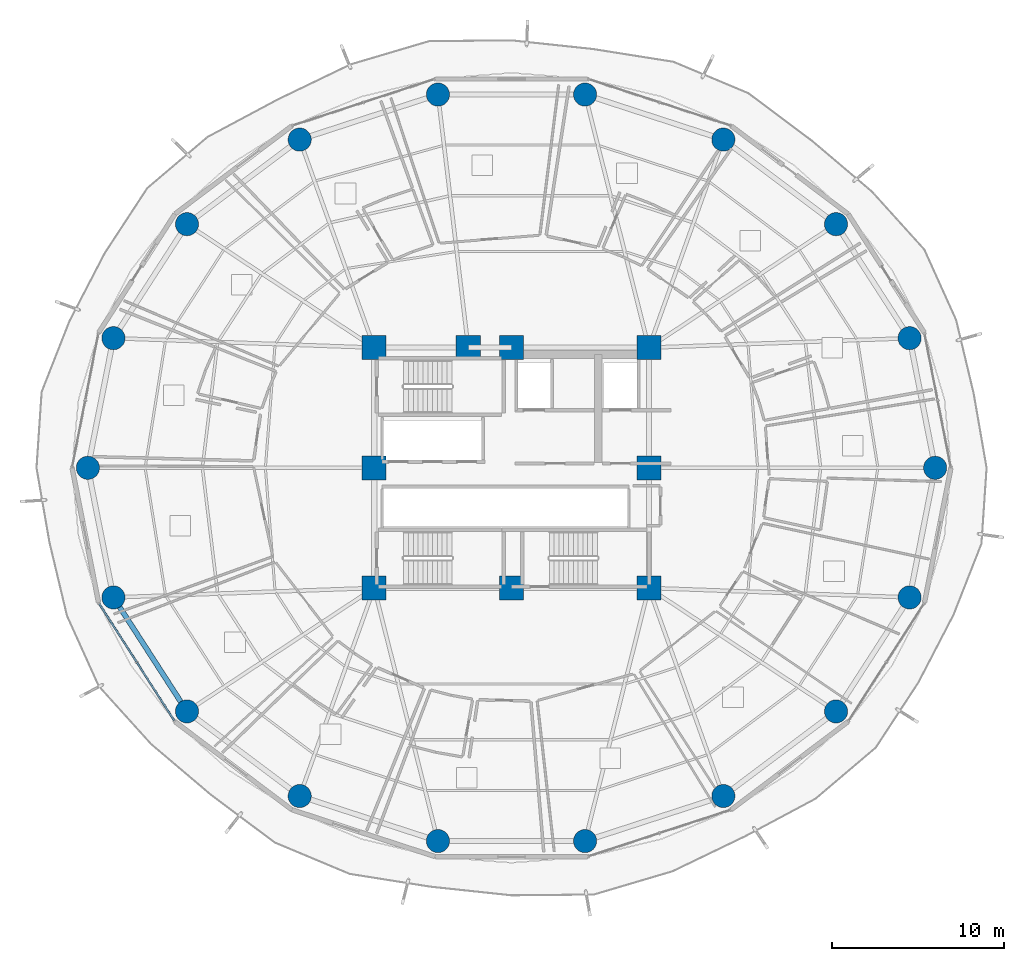
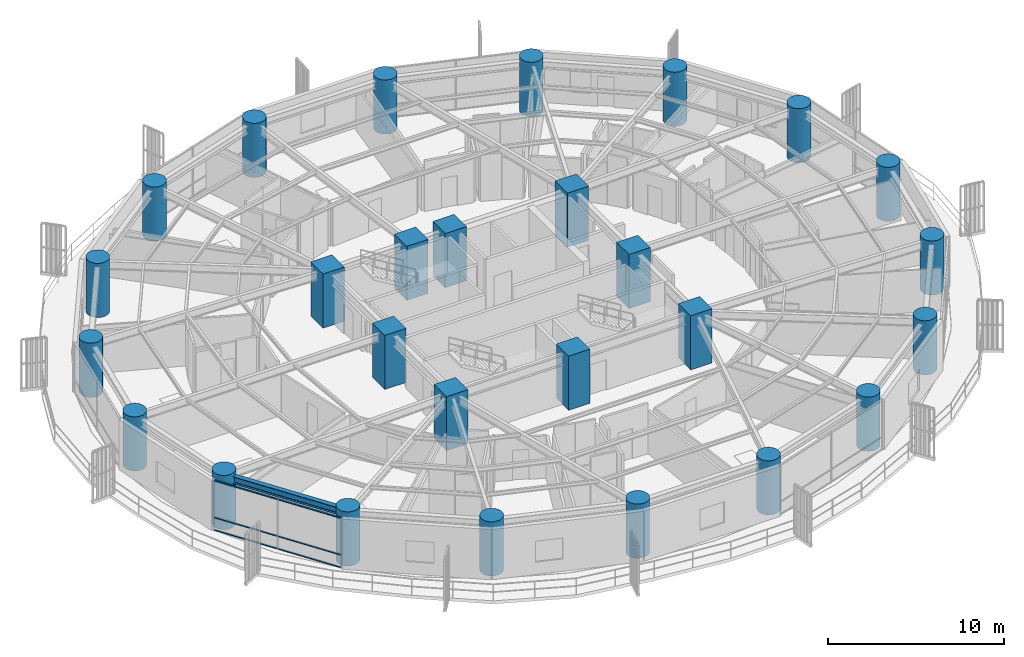
# One storey, part 1 of 34: 27 columns, 6 members, 1 beam, 1 element without a shape of its own.
"""IFC4 building model written with IfcOpenShell, lengths in metres."""

from ifc_helpers import new_model, si_unit, direction, frame, origin, origin_2d, place, context, subcontext, project, spatial, rectangle, hollow_rectangle, circle, i_section, extrude, material, layer, layer_set, material_profile, profile_set, type_object, element, aggregate, save


model = new_model("IFC4")

# Units and contexts
model_context = context("Model", 3, precision=1e-05, world=origin(), true_north=direction((0.0, 1.0)))
body_context = subcontext(model_context, "Body", "Model", "MODEL_VIEW")
ifc_project = project(units=[si_unit("LENGTHUNIT", "METRE"), si_unit("AREAUNIT", "SQUARE_METRE"), si_unit("VOLUMEUNIT", "CUBIC_METRE"), si_unit("PLANEANGLEUNIT", "RADIAN"), si_unit("MASSUNIT", "GRAM", prefix="KILO")], contexts=[model_context])

# Site, building, storey
site_placement = place(None, origin())
site = spatial("IfcSite", under=ifc_project, at=site_placement, CompositionType="ELEMENT")
building_placement = place(site_placement, origin())
building = spatial("IfcBuilding", under=site, at=building_placement, Name="Kelanora Arch Commons", CompositionType="ELEMENT")
storey_placement = place(building_placement, frame((0.0, 0.0, 76.35009765625)))
storey = spatial("IfcBuildingStorey", under=building, at=storey_placement, Name="L19", CompositionType="ELEMENT", Elevation=76.35009765625)

# Columns
ifc_material_1 = material(Name="Concrete C60/75", Category="concrete")
ifc_material_profile_1 = material_profile(ifc_material_1, circle(Radius=0.675048828125, at=origin_2d()), Name="RCC1350")
ifc_profile_set_1 = profile_set([ifc_material_profile_1], Name="Concrete C60/75")
column_type_1 = type_object("IfcColumnType", Name="COL-PERIM-Z2", PredefinedType="COLUMN", material=ifc_profile_set_1)
for number, where, z_axis, x_axis, name in (
    (1, (98.679931640625, 58.0, 0.0), (0.0, 0.0, 1.0), (1.0, 0.0, 0.0), "Perimeter Ring Column CP-00 L19"),
    (2, (97.191650390625, 65.5517578125, 0.0), (0.0, 0.0, 1.0), (1.0, 0.0, 0.0), "Perimeter Ring Column CP-02 L19"),
    (3, (92.906005859375, 72.19287109375, 0.0), (0.0, 0.0, 1.0), (1.0, 0.0, 0.0), "Perimeter Ring Column CP-04 L19"),
    (4, (86.340087890625, 77.121826171875, 0.0), (0.0, 0.0, 1.0), (1.0, 0.0, 0.0), "Perimeter Ring Column CP-06 L19"),
    (5, (78.28564453125, 79.74462890625, 0.0), (0.0, 0.0, 1.0), (1.0, 0.0, 0.0), "Perimeter Ring Column CP-08 L19"),
    (6, (69.71435546875, 79.74462890625, 0.0), (0.0, 0.0, 1.0), (1.0, 0.0, 0.0), "Perimeter Ring Column CP-10 L19"),
    (7, (61.659912109375, 77.121826171875, 0.0), (0.0, 0.0, 1.0), (1.0, 0.0, 0.0), "Perimeter Ring Column CP-12 L19"),
    (8, (55.093994140625, 72.19287109375, 0.0), (0.0, 0.0, 1.0), (1.0, 0.0, 0.0), "Perimeter Ring Column CP-14 L19"),
    (9, (50.808349609375, 65.5517578125, 0.0), (0.0, 0.0, 1.0), (1.0, 0.0, 0.0), "Perimeter Ring Column CP-16 L19"),
    (10, (49.320068359375, 58.0, 0.0), (0.0, 0.0, 1.0), (1.0, 0.0, 0.0), "Perimeter Ring Column CP-18 L19"),
    (11, (50.808349609375, 50.4482421875, 0.0), (0.0, 0.0, 1.0), (1.0, 0.0, 0.0), "Perimeter Ring Column CP-20 L19"),
    (12, (55.093994140625, 43.80712890625, 0.0), (0.0, 0.0, 1.0), (1.0, 0.0, 0.0), "Perimeter Ring Column CP-22 L19"),
    (13, (61.659912109375, 38.878173828125, 0.0), (0.0, 0.0, 1.0), (1.0, 0.0, 0.0), "Perimeter Ring Column CP-24 L19"),
    (14, (69.71435546875, 36.25537109375, 0.0), (0.0, 0.0, 1.0), (1.0, 0.0, 0.0), "Perimeter Ring Column CP-26 L19"),
    (15, (78.28564453125, 36.25537109375, 0.0), (0.0, 0.0, 1.0), (1.0, 0.0, 0.0), "Perimeter Ring Column CP-28 L19"),
    (16, (86.340087890625, 38.878173828125, 0.0), (0.0, 0.0, 1.0), (1.0, 0.0, 0.0), "Perimeter Ring Column CP-30 L19"),
    (17, (92.906005859375, 43.80712890625, 0.0), (0.0, 0.0, 1.0), (1.0, 0.0, 0.0), "Perimeter Ring Column CP-32 L19"),
    (18, (97.191650390625, 50.4482421875, 0.0), (0.0, 0.0, 1.0), (1.0, 0.0, 0.0), "Perimeter Ring Column CP-34 L19"),
):
    element("IfcColumn", number, at=place(storey_placement, frame(where, z_axis=z_axis, x_axis=x_axis)), inside=storey, type_object=column_type_1, Name=name, PredefinedType="COLUMN", context=body_context, shape_type="SweptSolid", body=[
        extrude(circle(Radius=0.675048828125, at=origin_2d()), origin(), (0.0, 0.0, 1.0), 3.75),
    ])
ifc_material_profile_2 = material_profile(ifc_material_1, rectangle(XDim=1.39990234375, YDim=1.39990234375, at=origin_2d()), Name="RC1400x1400")
ifc_profile_set_2 = profile_set([ifc_material_profile_2], Name="Concrete C60/75")
column_type_2 = type_object("IfcColumnType", Name="COL-PIL-LOW", PredefinedType="PILASTER", material=ifc_profile_set_2)
for number, where, z_axis, x_axis, name in (
    (19, (66.0, 51.0, 0.0), (0.0, 0.0, 1.0), (1.0, 0.0, 0.0), "Core Pilaster Column CP1 L19"),
    (20, (74.0, 51.0, 0.0), (0.0, 0.0, 1.0), (1.0, 0.0, 0.0), "Core Pilaster Column CP2 L19"),
    (21, (82.0, 51.0, 0.0), (0.0, 0.0, 1.0), (1.0, 0.0, 0.0), "Core Pilaster Column CP3 L19"),
    (22, (82.0, 58.0, 0.0), (0.0, 0.0, 1.0), (1.0, 0.0, 0.0), "Core Pilaster Column CP4 L19"),
    (23, (82.0, 65.0, 0.0), (0.0, 0.0, 1.0), (1.0, 0.0, 0.0), "Core Pilaster Column CP5 L19"),
    (24, (74.0, 65.0, 0.0), (0.0, 0.0, 1.0), (1.0, 0.0, 0.0), "Core Pilaster Column CP6 L19"),
    (25, (71.47998046875, 65.0, 0.0), (0.0, 0.0, 1.0), (1.0, 0.0, 0.0), "Core Pilaster Column CP9 L19"),
    (26, (66.0, 65.0, 0.0), (0.0, 0.0, 1.0), (1.0, 0.0, 0.0), "Core Pilaster Column CP7 L19"),
    (27, (66.0, 58.0, 0.0), (0.0, 0.0, 1.0), (1.0, 0.0, 0.0), "Core Pilaster Column CP8 L19"),
):
    element("IfcColumn", number, at=place(storey_placement, frame(where, z_axis=z_axis, x_axis=x_axis)), inside=storey, type_object=column_type_2, Name=name, PredefinedType="PILASTER", context=body_context, shape_type="SweptSolid", body=[
        extrude(rectangle(XDim=1.39990234375, YDim=1.39990234375, at=origin_2d()), origin(), (0.0, 0.0, 1.0), 3.75),
    ])

# Beam
ifc_material_2 = material(Name="Steel S355", Category="steel")
ifc_material_profile_3 = material_profile(ifc_material_2, i_section(OverallWidth=0.300048828125, OverallDepth=0.5, WebThickness=0.014404296875, FlangeThickness=0.028076171875, FilletRadius=0.027099609375, at=origin_2d()), Name="HEB500")
ifc_profile_set_3 = profile_set([ifc_material_profile_3], Name="Steel S355")
beam_type = type_object("IfcBeamType", Name="BM-SPN-Z2", PredefinedType="SPANDREL", material=ifc_profile_set_3)
beam_placement = place(storey_placement, frame((50.808349609375, 50.4482421875, 3.239990234375), z_axis=(0.542221144054, -0.840235818649, 0.0), x_axis=(0.840235818649, 0.542221144054, 0.0)))
element("IfcBeam", 28, at=beam_placement, inside=storey, type_object=beam_type, Name="Perimeter Spandrel Beam BS-20 L19", PredefinedType="SPANDREL", context=body_context, shape_type="SweptSolid", body=[
    extrude(i_section(OverallWidth=0.300048828125, OverallDepth=0.5, WebThickness=0.014404296875, FlangeThickness=0.028076171875, FilletRadius=0.027099609375, at=origin_2d()), origin(), (0.0, 0.0, 1.0), 7.90380859375),
])

# Curtain wall, members
ifc_material_3 = material(Name="Terracotta ceramic-fritted low-E glass and aluminium", Category="masonry")
ifc_layer = layer(ifc_material_3, 0.159912109375)
ifc_layer_set = layer_set([ifc_layer], Name="Terracotta ceramic-fritted low-E glass and aluminium")
curtain_wall_type = type_object("IfcCurtainWallType", Name="CW-SYS-01", PredefinedType="NOTDEFINED", material=ifc_layer_set)
curtain_wall_placement = place(storey_placement, origin())
curtain_wall = element("IfcCurtainWall", 29, at=curtain_wall_placement, inside=storey, type_object=curtain_wall_type, Name="Unitised Curtain Wall L19-B10", PredefinedType="NOTDEFINED")
ifc_material_4 = material(Name="Powder-coated aluminium terracotta", Category="masonry")
ifc_material_profile_4 = material_profile(ifc_material_4, hollow_rectangle(XDim=0.1201171875, YDim=0.06005859375, WallThickness=0.0048828125, InnerFilletRadius=0.0048828125, OuterFilletRadius=0.010009765625, at=origin_2d()), Name="CWT120x60")
ifc_profile_set_4 = profile_set([ifc_material_profile_4], Name="Powder-coated aluminium terracotta")
member_type = type_object("IfcMemberType", Name="CWT-STD", PredefinedType="USERDEFINED", material=ifc_profile_set_4)
member_1_placement = place(storey_placement, frame((49.984375, 50.0703125, 0.02978515625), z_axis=(0.540643629734, -0.841251725483, 0.0), x_axis=(0.841251725483, 0.540643629734, 0.0)))
member_1 = element("IfcMember", 30, at=member_1_placement, type_object=member_type, Name="CW-01 transom 1.1", ObjectType="TRANSOM", PredefinedType="USERDEFINED", context=body_context, shape_type="SweptSolid", body=[
    extrude(hollow_rectangle(XDim=0.1201171875, YDim=0.06005859375, WallThickness=0.0048828125, InnerFilletRadius=0.0048828125, OuterFilletRadius=0.010009765625, at=origin_2d()), origin(), (0.0, 0.0, 1.0), 4.00634765625),
])
member_2_placement = place(storey_placement, frame((49.984375, 50.0703125, 0.89990234375), z_axis=(0.540643629734, -0.841251725483, 0.0), x_axis=(0.841251725483, 0.540643629734, 0.0)))
member_2 = element("IfcMember", 31, at=member_2_placement, type_object=member_type, Name="CW-01 transom 1.2", ObjectType="TRANSOM", PredefinedType="USERDEFINED", context=body_context, shape_type="SweptSolid", body=[
    extrude(hollow_rectangle(XDim=0.1201171875, YDim=0.06005859375, WallThickness=0.0048828125, InnerFilletRadius=0.0048828125, OuterFilletRadius=0.010009765625, at=origin_2d()), origin(), (0.0, 0.0, 1.0), 4.00634765625),
])
member_3_placement = place(storey_placement, frame((49.984375, 50.0703125, 3.44482421875), z_axis=(0.540643629734, -0.841251725483, 0.0), x_axis=(0.841251725483, 0.540643629734, 0.0)))
member_3 = element("IfcMember", 32, at=member_3_placement, type_object=member_type, Name="CW-01 transom 1.3", ObjectType="TRANSOM", PredefinedType="USERDEFINED", context=body_context, shape_type="SweptSolid", body=[
    extrude(hollow_rectangle(XDim=0.1201171875, YDim=0.06005859375, WallThickness=0.0048828125, InnerFilletRadius=0.0048828125, OuterFilletRadius=0.010009765625, at=origin_2d()), origin(), (0.0, 0.0, 1.0), 4.00634765625),
])
member_4_placement = place(storey_placement, frame((52.182861328125, 46.6494140625, 0.02978515625), z_axis=(0.540643629734, -0.841251725483, 0.0), x_axis=(0.841251725483, 0.540643629734, 0.0)))
member_4 = element("IfcMember", 33, at=member_4_placement, type_object=member_type, Name="CW-01 transom 2.1", ObjectType="TRANSOM", PredefinedType="USERDEFINED", context=body_context, shape_type="SweptSolid", body=[
    extrude(hollow_rectangle(XDim=0.1201171875, YDim=0.06005859375, WallThickness=0.0048828125, InnerFilletRadius=0.0048828125, OuterFilletRadius=0.010009765625, at=origin_2d()), origin(), (0.0, 0.0, 1.0), 4.00634765625),
])
member_5_placement = place(storey_placement, frame((52.182861328125, 46.6494140625, 0.89990234375), z_axis=(0.540643629734, -0.841251725483, 0.0), x_axis=(0.841251725483, 0.540643629734, 0.0)))
member_5 = element("IfcMember", 34, at=member_5_placement, type_object=member_type, Name="CW-01 transom 2.2", ObjectType="TRANSOM", PredefinedType="USERDEFINED", context=body_context, shape_type="SweptSolid", body=[
    extrude(hollow_rectangle(XDim=0.1201171875, YDim=0.06005859375, WallThickness=0.0048828125, InnerFilletRadius=0.0048828125, OuterFilletRadius=0.010009765625, at=origin_2d()), origin(), (0.0, 0.0, 1.0), 4.00634765625),
])
member_6_placement = place(storey_placement, frame((52.182861328125, 46.6494140625, 3.44482421875), z_axis=(0.540643629734, -0.841251725483, 0.0), x_axis=(0.841251725483, 0.540643629734, 0.0)))
member_6 = element("IfcMember", 35, at=member_6_placement, type_object=member_type, Name="CW-01 transom 2.3", ObjectType="TRANSOM", PredefinedType="USERDEFINED", context=body_context, shape_type="SweptSolid", body=[
    extrude(hollow_rectangle(XDim=0.1201171875, YDim=0.06005859375, WallThickness=0.0048828125, InnerFilletRadius=0.0048828125, OuterFilletRadius=0.010009765625, at=origin_2d()), origin(), (0.0, 0.0, 1.0), 4.00634765625),
])
aggregate(curtain_wall, [member_1, member_2, member_3, member_4, member_5, member_6])

save(model, "model.ifc")
